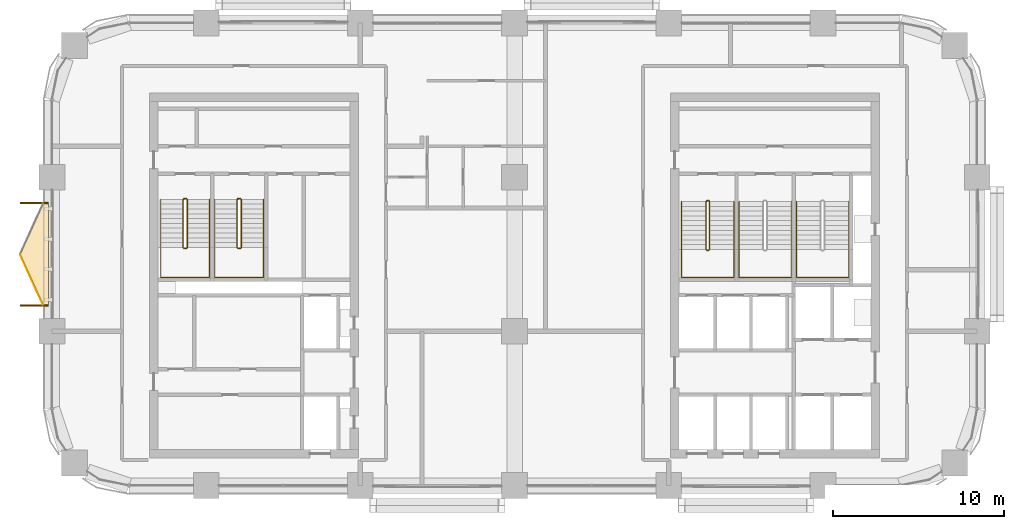
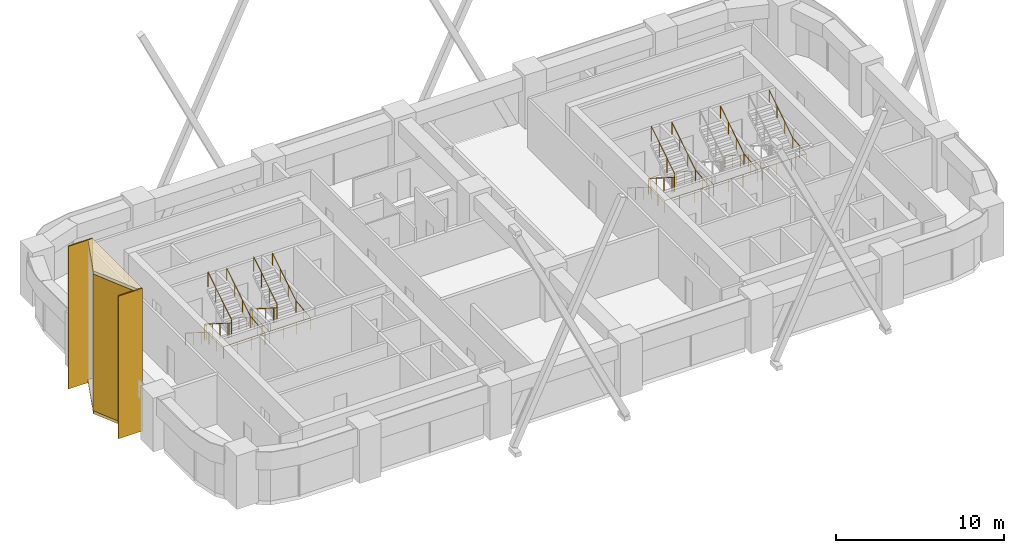
# One storey, part 12 of 13: 8 railings, 5 coverings.
"""IFC4 building model written with IfcOpenShell, lengths in metres."""

from ifc_helpers import new_model, si_unit, direction, frame, origin, origin_2d, place, context, subcontext, project, spatial, polyline, rectangle, circle, outline, extrude, material, layer, layer_set, type_object, element, save


model = new_model("IFC4")

# Units and contexts
model_context = context("Model", 3, precision=1e-05, world=origin(), true_north=direction((0.0, 1.0)))
body_context = subcontext(model_context, "Body", "Model", "MODEL_VIEW")
ifc_project = project(units=[si_unit("LENGTHUNIT", "METRE"), si_unit("AREAUNIT", "SQUARE_METRE"), si_unit("VOLUMEUNIT", "CUBIC_METRE"), si_unit("PLANEANGLEUNIT", "RADIAN"), si_unit("MASSUNIT", "GRAM", prefix="KILO")], contexts=[model_context])

# Site, building, storey
site_placement = place(None, origin())
site = spatial("IfcSite", under=ifc_project, at=site_placement, CompositionType="ELEMENT")
building_placement = place(site_placement, origin())
building = spatial("IfcBuilding", under=site, at=building_placement, Name="Tessera Arch", CompositionType="ELEMENT")
storey_placement = place(building_placement, frame((0.0, 0.0, 166.10009765625)))
storey = spatial("IfcBuildingStorey", under=building, at=storey_placement, Name="L39", CompositionType="ELEMENT", Elevation=166.10009765625)

# Railings
ifc_material_1 = material(Name="Painted steel balustrade", Category="steel")
railing_type_1 = type_object("IfcRailingType", Name="Stair guard 1100", PredefinedType="GUARDRAIL", material=ifc_material_1)
railing_1_placement = place(storey_placement, frame((38.219970703125, 43.6298828125, 0.0)))
element("IfcRailing", 1, at=railing_1_placement, inside=storey, type_object=railing_type_1, Name="L39 S1a stair guard 1", PredefinedType="GUARDRAIL", context=body_context, shape_type="SweptSolid", body=[
    extrude(circle(Radius=0.02392578125, at=origin_2d()), frame((-0.00390625, 0.0, 1.076171875), z_axis=(1.0, 0.0, 0.0), x_axis=(0.0, 1.0, 0.0)), (0.0, 0.0, 1.0), 0.1181640625),
    extrude(circle(Radius=0.02392578125, at=origin_2d()), frame((0.11279296875, 0.000732421875, 1.0732421875), z_axis=(-0.656319048605, -0.204099216335, 0.726353093426), x_axis=(0.296948579431, -0.954893471113, 0.0)), (0.0, 0.0, 1.0), 0.251953125),
    extrude(circle(Radius=0.02392578125, at=origin_2d()), frame((-0.050048828125, -0.04638671875, 1.251220703125), z_axis=(0.0, -0.844908973607, 0.534910110503), x_axis=(1.0, 0.0, 0.0)), (0.0, 0.0, 1.0), 3.322021484375),
    extrude(circle(Radius=0.02392578125, at=origin_2d()), frame((-0.052978515625, -2.846923828125, 3.02587890625), z_axis=(0.707106781187, -0.707106781187, 0.0), x_axis=(0.707106781187, 0.707106781187, 0.0)), (0.0, 0.0, 1.0), 0.078857421875),
    extrude(circle(Radius=0.02392578125, at=origin_2d()), frame((-0.00390625, -2.89990234375, 3.02587890625), z_axis=(1.0, 0.0, 0.0), x_axis=(0.0, 1.0, 0.0)), (0.0, 0.0, 1.0), 0.1181640625),
    extrude(circle(Radius=0.02392578125, at=origin_2d()), frame((0.109130859375, -2.90087890625, 3.022216796875), z_axis=(0.261041864531, 0.262321481514, 0.929001929653), x_axis=(-0.708833529934, 0.705375805398, 0.0)), (0.0, 0.0, 1.0), 0.19873046875),
    extrude(circle(Radius=0.02392578125, at=origin_2d()), frame((0.159912109375, -2.853271484375, 3.201171875), z_axis=(0.0, 0.844908973607, 0.534910110503), x_axis=(-1.0, 0.0, 0.0)), (0.0, 0.0, 1.0), 3.322021484375),
    extrude(circle(Radius=0.02099609375, at=origin_2d()), origin(), (0.0, 0.0, 1.0), 1.06396484375),
    extrude(circle(Radius=0.02099609375, at=origin_2d()), frame((0.110107421875, 0.0, 0.0)), (0.0, 0.0, 1.0), 1.06396484375),
    extrude(circle(Radius=0.02099609375, at=origin_2d()), frame((-0.050048828125, -0.0498046875, 0.17724609375)), (0.0, 0.0, 1.0), 1.06396484375),
    extrude(circle(Radius=0.02099609375, at=origin_2d()), frame((-0.050048828125, -0.983154296875, 0.76806640625)), (0.0, 0.0, 1.0), 1.06396484375),
    extrude(circle(Radius=0.02099609375, at=origin_2d()), frame((-0.050048828125, -1.91650390625, 1.359130859375)), (0.0, 0.0, 1.0), 1.06396484375),
    extrude(circle(Radius=0.02099609375, at=origin_2d()), frame((-0.050048828125, -2.849853515625, 1.949951171875)), (0.0, 0.0, 1.0), 1.06396484375),
    extrude(circle(Radius=0.02099609375, at=origin_2d()), frame((0.0, -2.89990234375, 1.949951171875)), (0.0, 0.0, 1.0), 1.06396484375),
    extrude(circle(Radius=0.02099609375, at=origin_2d()), frame((0.110107421875, -2.89990234375, 1.949951171875)), (0.0, 0.0, 1.0), 1.06396484375),
    extrude(circle(Radius=0.02099609375, at=origin_2d()), frame((0.159912109375, -2.849853515625, 2.127197265625)), (0.0, 0.0, 1.0), 1.06396484375),
    extrude(circle(Radius=0.02099609375, at=origin_2d()), frame((0.159912109375, -1.91650390625, 2.718017578125)), (0.0, 0.0, 1.0), 1.06396484375),
    extrude(circle(Radius=0.02099609375, at=origin_2d()), frame((0.159912109375, -0.983154296875, 3.30908203125)), (0.0, 0.0, 1.0), 1.06396484375),
    extrude(circle(Radius=0.02099609375, at=origin_2d()), frame((0.159912109375, -0.0498046875, 3.89990234375)), (0.0, 0.0, 1.0), 1.06396484375),
])
railing_2_placement = place(storey_placement, frame((7.699951171875, 43.75, 0.0)))
element("IfcRailing", 2, at=railing_2_placement, inside=storey, type_object=railing_type_1, Name="L39 S2a stair guard 1", PredefinedType="GUARDRAIL", context=body_context, shape_type="SweptSolid", body=[
    extrude(circle(Radius=0.02392578125, at=origin_2d()), frame((-0.00390625, 0.0, 1.076171875), z_axis=(1.0, 0.0, 0.0), x_axis=(0.0, 1.0, 0.0)), (0.0, 0.0, 1.0), 0.158203125),
    extrude(circle(Radius=0.02392578125, at=origin_2d()), frame((0.153076171875, 0.000732421875, 1.073486328125), z_axis=(-0.735936453418, -0.183984113355, 0.651573006319), x_axis=(0.242535625036, -0.970142500145, 0.0)), (0.0, 0.0, 1.0), 0.280029296875),
    extrude(circle(Radius=0.02392578125, at=origin_2d()), frame((-0.050048828125, -0.046630859375, 1.251220703125), z_axis=(0.0, -0.844908973607, 0.534910110503), x_axis=(1.0, 0.0, 0.0)), (0.0, 0.0, 1.0), 3.322021484375),
    extrude(circle(Radius=0.02392578125, at=origin_2d()), frame((-0.052978515625, -2.84716796875, 3.02587890625), z_axis=(0.708833529934, -0.705375805398, 0.0), x_axis=(0.705375805398, 0.708833529934, 0.0)), (0.0, 0.0, 1.0), 0.07861328125),
    extrude(circle(Radius=0.02392578125, at=origin_2d()), frame((-0.00390625, -2.89990234375, 3.02587890625), z_axis=(1.0, 0.0, 0.0), x_axis=(0.0, 1.0, 0.0)), (0.0, 0.0, 1.0), 0.158203125),
    extrude(circle(Radius=0.02392578125, at=origin_2d()), frame((0.149169921875, -2.90087890625, 3.022216796875), z_axis=(0.261129318932, 0.261129318932, 0.929313164433), x_axis=(-0.707106781187, 0.707106781187, 0.0)), (0.0, 0.0, 1.0), 0.19873046875),
    extrude(circle(Radius=0.02392578125, at=origin_2d()), frame((0.199951171875, -2.853515625, 3.201171875), z_axis=(0.0, 0.844908973607, 0.534910110503), x_axis=(-1.0, 0.0, 0.0)), (0.0, 0.0, 1.0), 3.322021484375),
    extrude(circle(Radius=0.02099609375, at=origin_2d()), origin(), (0.0, 0.0, 1.0), 1.06396484375),
    extrude(circle(Radius=0.02099609375, at=origin_2d()), frame((0.150146484375, 0.0, 0.0)), (0.0, 0.0, 1.0), 1.06396484375),
    extrude(circle(Radius=0.02099609375, at=origin_2d()), frame((-0.050048828125, -0.050048828125, 0.17724609375)), (0.0, 0.0, 1.0), 1.06396484375),
    extrude(circle(Radius=0.02099609375, at=origin_2d()), frame((-0.050048828125, -0.9833984375, 0.76806640625)), (0.0, 0.0, 1.0), 1.06396484375),
    extrude(circle(Radius=0.02099609375, at=origin_2d()), frame((-0.050048828125, -1.916748046875, 1.359130859375)), (0.0, 0.0, 1.0), 1.06396484375),
    extrude(circle(Radius=0.02099609375, at=origin_2d()), frame((-0.050048828125, -2.85009765625, 1.949951171875)), (0.0, 0.0, 1.0), 1.06396484375),
    extrude(circle(Radius=0.02099609375, at=origin_2d()), frame((0.0, -2.89990234375, 1.949951171875)), (0.0, 0.0, 1.0), 1.06396484375),
    extrude(circle(Radius=0.02099609375, at=origin_2d()), frame((0.150146484375, -2.89990234375, 1.949951171875)), (0.0, 0.0, 1.0), 1.06396484375),
    extrude(circle(Radius=0.02099609375, at=origin_2d()), frame((0.199951171875, -2.85009765625, 2.127197265625)), (0.0, 0.0, 1.0), 1.06396484375),
    extrude(circle(Radius=0.02099609375, at=origin_2d()), frame((0.199951171875, -1.916748046875, 2.718017578125)), (0.0, 0.0, 1.0), 1.06396484375),
    extrude(circle(Radius=0.02099609375, at=origin_2d()), frame((0.199951171875, -0.9833984375, 3.30908203125)), (0.0, 0.0, 1.0), 1.06396484375),
    extrude(circle(Radius=0.02099609375, at=origin_2d()), frame((0.199951171875, -0.050048828125, 3.89990234375)), (0.0, 0.0, 1.0), 1.06396484375),
])
railing_3_placement = place(storey_placement, frame((10.85009765625, 43.75, 0.0)))
element("IfcRailing", 3, at=railing_3_placement, inside=storey, type_object=railing_type_1, Name="L39 S2b stair guard 1", PredefinedType="GUARDRAIL", context=body_context, shape_type="SweptSolid", body=[
    extrude(circle(Radius=0.02392578125, at=origin_2d()), frame((-0.00390625, 0.0, 1.076171875), z_axis=(1.0, 0.0, 0.0), x_axis=(0.0, 1.0, 0.0)), (0.0, 0.0, 1.0), 0.157958984375),
    extrude(circle(Radius=0.02392578125, at=origin_2d()), frame((0.15283203125, 0.000732421875, 1.073486328125), z_axis=(-0.735524641326, -0.184105679453, 0.652003528208), x_axis=(0.242814311512, -0.970072785993, 0.0)), (0.0, 0.0, 1.0), 0.27978515625),
    extrude(circle(Radius=0.02392578125, at=origin_2d()), frame((-0.050048828125, -0.046630859375, 1.251220703125), z_axis=(0.0, -0.844908973607, 0.534910110503), x_axis=(1.0, 0.0, 0.0)), (0.0, 0.0, 1.0), 3.322021484375),
    extrude(circle(Radius=0.02392578125, at=origin_2d()), frame((-0.052978515625, -2.84716796875, 3.02587890625), z_axis=(0.708833529934, -0.705375805398, 0.0), x_axis=(0.705375805398, 0.708833529934, 0.0)), (0.0, 0.0, 1.0), 0.07861328125),
    extrude(circle(Radius=0.02392578125, at=origin_2d()), frame((-0.00390625, -2.89990234375, 3.02587890625), z_axis=(1.0, 0.0, 0.0), x_axis=(0.0, 1.0, 0.0)), (0.0, 0.0, 1.0), 0.157958984375),
    extrude(circle(Radius=0.02392578125, at=origin_2d()), frame((0.14892578125, -2.90087890625, 3.022216796875), z_axis=(0.262321481514, 0.261041864531, 0.929001929653), x_axis=(-0.705375805398, 0.708833529934, 0.0)), (0.0, 0.0, 1.0), 0.19873046875),
    extrude(circle(Radius=0.02392578125, at=origin_2d()), frame((0.199951171875, -2.853515625, 3.201171875), z_axis=(0.0, 0.844908973607, 0.534910110503), x_axis=(-1.0, 0.0, 0.0)), (0.0, 0.0, 1.0), 3.322021484375),
    extrude(circle(Radius=0.02099609375, at=origin_2d()), origin(), (0.0, 0.0, 1.0), 1.06396484375),
    extrude(circle(Radius=0.02099609375, at=origin_2d()), frame((0.14990234375, 0.0, 0.0)), (0.0, 0.0, 1.0), 1.06396484375),
    extrude(circle(Radius=0.02099609375, at=origin_2d()), frame((-0.050048828125, -0.050048828125, 0.17724609375)), (0.0, 0.0, 1.0), 1.06396484375),
    extrude(circle(Radius=0.02099609375, at=origin_2d()), frame((-0.050048828125, -0.9833984375, 0.76806640625)), (0.0, 0.0, 1.0), 1.06396484375),
    extrude(circle(Radius=0.02099609375, at=origin_2d()), frame((-0.050048828125, -1.916748046875, 1.359130859375)), (0.0, 0.0, 1.0), 1.06396484375),
    extrude(circle(Radius=0.02099609375, at=origin_2d()), frame((-0.050048828125, -2.85009765625, 1.949951171875)), (0.0, 0.0, 1.0), 1.06396484375),
    extrude(circle(Radius=0.02099609375, at=origin_2d()), frame((0.0, -2.89990234375, 1.949951171875)), (0.0, 0.0, 1.0), 1.06396484375),
    extrude(circle(Radius=0.02099609375, at=origin_2d()), frame((0.14990234375, -2.89990234375, 1.949951171875)), (0.0, 0.0, 1.0), 1.06396484375),
    extrude(circle(Radius=0.02099609375, at=origin_2d()), frame((0.199951171875, -2.85009765625, 2.127197265625)), (0.0, 0.0, 1.0), 1.06396484375),
    extrude(circle(Radius=0.02099609375, at=origin_2d()), frame((0.199951171875, -1.916748046875, 2.718017578125)), (0.0, 0.0, 1.0), 1.06396484375),
    extrude(circle(Radius=0.02099609375, at=origin_2d()), frame((0.199951171875, -0.9833984375, 3.30908203125)), (0.0, 0.0, 1.0), 1.06396484375),
    extrude(circle(Radius=0.02099609375, at=origin_2d()), frame((0.199951171875, -0.050048828125, 3.89990234375)), (0.0, 0.0, 1.0), 1.06396484375),
])
ifc_material_2 = material(Name="Painted steel handrail", Category="steel")
railing_type_2 = type_object("IfcRailingType", Name="Stair handrail 900", PredefinedType="HANDRAIL", material=ifc_material_2)
railing_4_placement = place(storey_placement, frame((36.75, 43.580078125, 0.17724609375)))
element("IfcRailing", 4, at=railing_4_placement, inside=storey, type_object=railing_type_2, Name="L39 S1a stair handrail", PredefinedType="HANDRAIL", context=body_context, shape_type="SweptSolid", body=[
    extrude(circle(Radius=0.02392578125, at=origin_2d()), frame((0.0, 0.00341796875, 0.873779296875), z_axis=(0.0, -0.844908973607, 0.534910110503), x_axis=(1.0, 0.0, 0.0)), (0.0, 0.0, 1.0), 3.322021484375),
    extrude(circle(Radius=0.02392578125, at=origin_2d()), frame((0.0, -2.796142578125, 2.6484375), z_axis=(0.0, -1.0, 0.0), x_axis=(1.0, 0.0, 0.0)), (0.0, 0.0, 1.0), 1.63818359375),
    extrude(circle(Radius=0.02392578125, at=origin_2d()), frame((-0.00390625, -4.43017578125, 2.6484375), z_axis=(1.0, 0.0, 0.0), x_axis=(0.0, 1.0, 0.0)), (0.0, 0.0, 1.0), 3.05810546875),
    extrude(circle(Radius=0.02392578125, at=origin_2d()), frame((3.050048828125, -4.43408203125, 2.648193359375), z_axis=(0.0, 0.994140637614, 0.108094369164), x_axis=(-1.0, 0.0, 0.0)), (0.0, 0.0, 1.0), 1.647705078125),
    extrude(circle(Radius=0.02392578125, at=origin_2d()), frame((3.050048828125, -2.803466796875, 2.82373046875), z_axis=(0.0, 0.844908973607, 0.534910110503), x_axis=(-1.0, 0.0, 0.0)), (0.0, 0.0, 1.0), 3.322021484375),
    extrude(circle(Radius=0.02099609375, at=origin_2d()), origin(), (0.0, 0.0, 1.0), 0.86376953125),
    extrude(circle(Radius=0.02099609375, at=origin_2d()), frame((0.0, -0.933349609375, 0.5908203125)), (0.0, 0.0, 1.0), 0.86376953125),
    extrude(circle(Radius=0.02099609375, at=origin_2d()), frame((0.0, -1.86669921875, 1.181884765625)), (0.0, 0.0, 1.0), 0.86376953125),
    extrude(circle(Radius=0.02099609375, at=origin_2d()), frame((0.0, -2.800048828125, 1.772705078125)), (0.0, 0.0, 1.0), 0.86376953125),
    extrude(circle(Radius=0.02099609375, at=origin_2d()), frame((0.0, -3.615234375, 1.772705078125)), (0.0, 0.0, 1.0), 0.86376953125),
    extrude(circle(Radius=0.02099609375, at=origin_2d()), frame((0.0, -4.43017578125, 1.772705078125)), (0.0, 0.0, 1.0), 0.86376953125),
    extrude(circle(Radius=0.02099609375, at=origin_2d()), frame((1.0166015625, -4.43017578125, 1.772705078125)), (0.0, 0.0, 1.0), 0.86376953125),
    extrude(circle(Radius=0.02099609375, at=origin_2d()), frame((2.033447265625, -4.43017578125, 1.772705078125)), (0.0, 0.0, 1.0), 0.86376953125),
    extrude(circle(Radius=0.02099609375, at=origin_2d()), frame((3.050048828125, -4.43017578125, 1.772705078125)), (0.0, 0.0, 1.0), 0.86376953125),
    extrude(circle(Radius=0.02099609375, at=origin_2d()), frame((3.050048828125, -3.615234375, 1.861328125)), (0.0, 0.0, 1.0), 0.86376953125),
    extrude(circle(Radius=0.02099609375, at=origin_2d()), frame((3.050048828125, -2.800048828125, 1.949951171875)), (0.0, 0.0, 1.0), 0.86376953125),
    extrude(circle(Radius=0.02099609375, at=origin_2d()), frame((3.050048828125, -1.86669921875, 2.540771484375)), (0.0, 0.0, 1.0), 0.86376953125),
    extrude(circle(Radius=0.02099609375, at=origin_2d()), frame((3.050048828125, -0.933349609375, 3.1318359375)), (0.0, 0.0, 1.0), 0.86376953125),
    extrude(circle(Radius=0.02099609375, at=origin_2d()), frame((3.050048828125, 0.0, 3.72265625)), (0.0, 0.0, 1.0), 0.86376953125),
])
railing_5_placement = place(storey_placement, frame((40.10009765625, 43.580078125, 0.17724609375)))
element("IfcRailing", 5, at=railing_5_placement, inside=storey, type_object=railing_type_2, Name="L39 S1b stair handrail", PredefinedType="HANDRAIL", context=body_context, shape_type="SweptSolid", body=[
    extrude(circle(Radius=0.02392578125, at=origin_2d()), frame((0.0, 0.00341796875, 0.873779296875), z_axis=(0.0, -0.844908973607, 0.534910110503), x_axis=(1.0, 0.0, 0.0)), (0.0, 0.0, 1.0), 3.322021484375),
    extrude(circle(Radius=0.02392578125, at=origin_2d()), frame((0.0, -2.796142578125, 2.6484375), z_axis=(0.0, -1.0, 0.0), x_axis=(1.0, 0.0, 0.0)), (0.0, 0.0, 1.0), 1.63818359375),
    extrude(circle(Radius=0.02392578125, at=origin_2d()), frame((-0.00390625, -4.43017578125, 2.6484375), z_axis=(1.0, 0.0, 0.0), x_axis=(0.0, 1.0, 0.0)), (0.0, 0.0, 1.0), 3.057861328125),
    extrude(circle(Radius=0.02392578125, at=origin_2d()), frame((3.0498046875, -4.43408203125, 2.648193359375), z_axis=(0.0, 0.994140637614, 0.108094369164), x_axis=(-1.0, 0.0, 0.0)), (0.0, 0.0, 1.0), 1.647705078125),
    extrude(circle(Radius=0.02392578125, at=origin_2d()), frame((3.0498046875, -2.803466796875, 2.82373046875), z_axis=(0.0, 0.844908973607, 0.534910110503), x_axis=(-1.0, 0.0, 0.0)), (0.0, 0.0, 1.0), 3.322021484375),
    extrude(circle(Radius=0.02099609375, at=origin_2d()), origin(), (0.0, 0.0, 1.0), 0.86376953125),
    extrude(circle(Radius=0.02099609375, at=origin_2d()), frame((0.0, -0.933349609375, 0.5908203125)), (0.0, 0.0, 1.0), 0.86376953125),
    extrude(circle(Radius=0.02099609375, at=origin_2d()), frame((0.0, -1.86669921875, 1.181884765625)), (0.0, 0.0, 1.0), 0.86376953125),
    extrude(circle(Radius=0.02099609375, at=origin_2d()), frame((0.0, -2.800048828125, 1.772705078125)), (0.0, 0.0, 1.0), 0.86376953125),
    extrude(circle(Radius=0.02099609375, at=origin_2d()), frame((0.0, -3.615234375, 1.772705078125)), (0.0, 0.0, 1.0), 0.86376953125),
    extrude(circle(Radius=0.02099609375, at=origin_2d()), frame((0.0, -4.43017578125, 1.772705078125)), (0.0, 0.0, 1.0), 0.86376953125),
    extrude(circle(Radius=0.02099609375, at=origin_2d()), frame((1.0166015625, -4.43017578125, 1.772705078125)), (0.0, 0.0, 1.0), 0.86376953125),
    extrude(circle(Radius=0.02099609375, at=origin_2d()), frame((2.033203125, -4.43017578125, 1.772705078125)), (0.0, 0.0, 1.0), 0.86376953125),
    extrude(circle(Radius=0.02099609375, at=origin_2d()), frame((3.0498046875, -4.43017578125, 1.772705078125)), (0.0, 0.0, 1.0), 0.86376953125),
    extrude(circle(Radius=0.02099609375, at=origin_2d()), frame((3.0498046875, -3.615234375, 1.861328125)), (0.0, 0.0, 1.0), 0.86376953125),
    extrude(circle(Radius=0.02099609375, at=origin_2d()), frame((3.0498046875, -2.800048828125, 1.949951171875)), (0.0, 0.0, 1.0), 0.86376953125),
    extrude(circle(Radius=0.02099609375, at=origin_2d()), frame((3.0498046875, -1.86669921875, 2.540771484375)), (0.0, 0.0, 1.0), 0.86376953125),
    extrude(circle(Radius=0.02099609375, at=origin_2d()), frame((3.0498046875, -0.933349609375, 3.1318359375)), (0.0, 0.0, 1.0), 0.86376953125),
    extrude(circle(Radius=0.02099609375, at=origin_2d()), frame((3.0498046875, 0.0, 3.72265625)), (0.0, 0.0, 1.0), 0.86376953125),
])
railing_6_placement = place(storey_placement, frame((43.449951171875, 43.580078125, 0.17724609375)))
element("IfcRailing", 6, at=railing_6_placement, inside=storey, type_object=railing_type_2, Name="L39 S1c stair handrail", PredefinedType="HANDRAIL", context=body_context, shape_type="SweptSolid", body=[
    extrude(circle(Radius=0.02392578125, at=origin_2d()), frame((0.0, 0.00341796875, 0.873779296875), z_axis=(0.0, -0.844908973607, 0.534910110503), x_axis=(1.0, 0.0, 0.0)), (0.0, 0.0, 1.0), 3.322021484375),
    extrude(circle(Radius=0.02392578125, at=origin_2d()), frame((0.0, -2.796142578125, 2.6484375), z_axis=(0.0, -1.0, 0.0), x_axis=(1.0, 0.0, 0.0)), (0.0, 0.0, 1.0), 1.63818359375),
    extrude(circle(Radius=0.02392578125, at=origin_2d()), frame((-0.00390625, -4.43017578125, 2.6484375), z_axis=(1.0, 0.0, 0.0), x_axis=(0.0, 1.0, 0.0)), (0.0, 0.0, 1.0), 3.05810546875),
    extrude(circle(Radius=0.02392578125, at=origin_2d()), frame((3.050048828125, -4.43408203125, 2.648193359375), z_axis=(0.0, 0.994140637614, 0.108094369164), x_axis=(-1.0, 0.0, 0.0)), (0.0, 0.0, 1.0), 1.647705078125),
    extrude(circle(Radius=0.02392578125, at=origin_2d()), frame((3.050048828125, -2.803466796875, 2.82373046875), z_axis=(0.0, 0.844908973607, 0.534910110503), x_axis=(-1.0, 0.0, 0.0)), (0.0, 0.0, 1.0), 3.322021484375),
    extrude(circle(Radius=0.02099609375, at=origin_2d()), origin(), (0.0, 0.0, 1.0), 0.86376953125),
    extrude(circle(Radius=0.02099609375, at=origin_2d()), frame((0.0, -0.933349609375, 0.5908203125)), (0.0, 0.0, 1.0), 0.86376953125),
    extrude(circle(Radius=0.02099609375, at=origin_2d()), frame((0.0, -1.86669921875, 1.181884765625)), (0.0, 0.0, 1.0), 0.86376953125),
    extrude(circle(Radius=0.02099609375, at=origin_2d()), frame((0.0, -2.800048828125, 1.772705078125)), (0.0, 0.0, 1.0), 0.86376953125),
    extrude(circle(Radius=0.02099609375, at=origin_2d()), frame((0.0, -3.615234375, 1.772705078125)), (0.0, 0.0, 1.0), 0.86376953125),
    extrude(circle(Radius=0.02099609375, at=origin_2d()), frame((0.0, -4.43017578125, 1.772705078125)), (0.0, 0.0, 1.0), 0.86376953125),
    extrude(circle(Radius=0.02099609375, at=origin_2d()), frame((1.0166015625, -4.43017578125, 1.772705078125)), (0.0, 0.0, 1.0), 0.86376953125),
    extrude(circle(Radius=0.02099609375, at=origin_2d()), frame((2.033447265625, -4.43017578125, 1.772705078125)), (0.0, 0.0, 1.0), 0.86376953125),
    extrude(circle(Radius=0.02099609375, at=origin_2d()), frame((3.050048828125, -4.43017578125, 1.772705078125)), (0.0, 0.0, 1.0), 0.86376953125),
    extrude(circle(Radius=0.02099609375, at=origin_2d()), frame((3.050048828125, -3.615234375, 1.861328125)), (0.0, 0.0, 1.0), 0.86376953125),
    extrude(circle(Radius=0.02099609375, at=origin_2d()), frame((3.050048828125, -2.800048828125, 1.949951171875)), (0.0, 0.0, 1.0), 0.86376953125),
    extrude(circle(Radius=0.02099609375, at=origin_2d()), frame((3.050048828125, -1.86669921875, 2.540771484375)), (0.0, 0.0, 1.0), 0.86376953125),
    extrude(circle(Radius=0.02099609375, at=origin_2d()), frame((3.050048828125, -0.933349609375, 3.1318359375)), (0.0, 0.0, 1.0), 0.86376953125),
    extrude(circle(Radius=0.02099609375, at=origin_2d()), frame((3.050048828125, 0.0, 3.72265625)), (0.0, 0.0, 1.0), 0.86376953125),
])
railing_7_placement = place(storey_placement, frame((6.35009765625, 43.699951171875, 0.17724609375)))
element("IfcRailing", 7, at=railing_7_placement, inside=storey, type_object=railing_type_2, Name="L39 S2a stair handrail", PredefinedType="HANDRAIL", context=body_context, shape_type="SweptSolid", body=[
    extrude(circle(Radius=0.02392578125, at=origin_2d()), frame((0.0, 0.00341796875, 0.873779296875), z_axis=(0.0, -0.844908973607, 0.534910110503), x_axis=(1.0, 0.0, 0.0)), (0.0, 0.0, 1.0), 3.322021484375),
    extrude(circle(Radius=0.02392578125, at=origin_2d()), frame((0.0, -2.796142578125, 2.6484375), z_axis=(0.0, -1.0, 0.0), x_axis=(1.0, 0.0, 0.0)), (0.0, 0.0, 1.0), 1.758056640625),
    extrude(circle(Radius=0.02392578125, at=origin_2d()), frame((-0.00390625, -4.550048828125, 2.6484375), z_axis=(1.0, 0.0, 0.0), x_axis=(0.0, 1.0, 0.0)), (0.0, 0.0, 1.0), 2.85791015625),
    extrude(circle(Radius=0.02392578125, at=origin_2d()), frame((2.849853515625, -4.553955078125, 2.648193359375), z_axis=(0.0, 0.994909956378, 0.100767944801), x_axis=(-1.0, 0.0, 0.0)), (0.0, 0.0, 1.0), 1.766845703125),
    extrude(circle(Radius=0.02392578125, at=origin_2d()), frame((2.849853515625, -2.803466796875, 2.82373046875), z_axis=(0.0, 0.844908973607, 0.534910110503), x_axis=(-1.0, 0.0, 0.0)), (0.0, 0.0, 1.0), 3.322021484375),
    extrude(circle(Radius=0.02099609375, at=origin_2d()), origin(), (0.0, 0.0, 1.0), 0.86376953125),
    extrude(circle(Radius=0.02099609375, at=origin_2d()), frame((0.0, -0.933349609375, 0.5908203125)), (0.0, 0.0, 1.0), 0.86376953125),
    extrude(circle(Radius=0.02099609375, at=origin_2d()), frame((0.0, -1.86669921875, 1.181884765625)), (0.0, 0.0, 1.0), 0.86376953125),
    extrude(circle(Radius=0.02099609375, at=origin_2d()), frame((0.0, -2.800048828125, 1.772705078125)), (0.0, 0.0, 1.0), 0.86376953125),
    extrude(circle(Radius=0.02099609375, at=origin_2d()), frame((0.0, -3.675048828125, 1.772705078125)), (0.0, 0.0, 1.0), 0.86376953125),
    extrude(circle(Radius=0.02099609375, at=origin_2d()), frame((0.0, -4.550048828125, 1.772705078125)), (0.0, 0.0, 1.0), 0.86376953125),
    extrude(circle(Radius=0.02099609375, at=origin_2d()), frame((0.949951171875, -4.550048828125, 1.772705078125)), (0.0, 0.0, 1.0), 0.86376953125),
    extrude(circle(Radius=0.02099609375, at=origin_2d()), frame((1.89990234375, -4.550048828125, 1.772705078125)), (0.0, 0.0, 1.0), 0.86376953125),
    extrude(circle(Radius=0.02099609375, at=origin_2d()), frame((2.849853515625, -4.550048828125, 1.772705078125)), (0.0, 0.0, 1.0), 0.86376953125),
    extrude(circle(Radius=0.02099609375, at=origin_2d()), frame((2.849853515625, -3.675048828125, 1.861328125)), (0.0, 0.0, 1.0), 0.86376953125),
    extrude(circle(Radius=0.02099609375, at=origin_2d()), frame((2.849853515625, -2.800048828125, 1.949951171875)), (0.0, 0.0, 1.0), 0.86376953125),
    extrude(circle(Radius=0.02099609375, at=origin_2d()), frame((2.849853515625, -1.86669921875, 2.540771484375)), (0.0, 0.0, 1.0), 0.86376953125),
    extrude(circle(Radius=0.02099609375, at=origin_2d()), frame((2.849853515625, -0.933349609375, 3.1318359375)), (0.0, 0.0, 1.0), 0.86376953125),
    extrude(circle(Radius=0.02099609375, at=origin_2d()), frame((2.849853515625, 0.0, 3.72265625)), (0.0, 0.0, 1.0), 0.86376953125),
])
railing_8_placement = place(storey_placement, frame((9.5, 43.699951171875, 0.17724609375)))
element("IfcRailing", 8, at=railing_8_placement, inside=storey, type_object=railing_type_2, Name="L39 S2b stair handrail", PredefinedType="HANDRAIL", context=body_context, shape_type="SweptSolid", body=[
    extrude(circle(Radius=0.02392578125, at=origin_2d()), frame((0.0, 0.00341796875, 0.873779296875), z_axis=(0.0, -0.844908973607, 0.534910110503), x_axis=(1.0, 0.0, 0.0)), (0.0, 0.0, 1.0), 3.322021484375),
    extrude(circle(Radius=0.02392578125, at=origin_2d()), frame((0.0, -2.796142578125, 2.6484375), z_axis=(0.0, -1.0, 0.0), x_axis=(1.0, 0.0, 0.0)), (0.0, 0.0, 1.0), 1.758056640625),
    extrude(circle(Radius=0.02392578125, at=origin_2d()), frame((-0.00390625, -4.550048828125, 2.6484375), z_axis=(1.0, 0.0, 0.0), x_axis=(0.0, 1.0, 0.0)), (0.0, 0.0, 1.0), 2.858154296875),
    extrude(circle(Radius=0.02392578125, at=origin_2d()), frame((2.85009765625, -4.553955078125, 2.648193359375), z_axis=(0.0, 0.994909956378, 0.100767944801), x_axis=(-1.0, 0.0, 0.0)), (0.0, 0.0, 1.0), 1.766845703125),
    extrude(circle(Radius=0.02392578125, at=origin_2d()), frame((2.85009765625, -2.803466796875, 2.82373046875), z_axis=(0.0, 0.844908973607, 0.534910110503), x_axis=(-1.0, 0.0, 0.0)), (0.0, 0.0, 1.0), 3.322021484375),
    extrude(circle(Radius=0.02099609375, at=origin_2d()), origin(), (0.0, 0.0, 1.0), 0.86376953125),
    extrude(circle(Radius=0.02099609375, at=origin_2d()), frame((0.0, -0.933349609375, 0.5908203125)), (0.0, 0.0, 1.0), 0.86376953125),
    extrude(circle(Radius=0.02099609375, at=origin_2d()), frame((0.0, -1.86669921875, 1.181884765625)), (0.0, 0.0, 1.0), 0.86376953125),
    extrude(circle(Radius=0.02099609375, at=origin_2d()), frame((0.0, -2.800048828125, 1.772705078125)), (0.0, 0.0, 1.0), 0.86376953125),
    extrude(circle(Radius=0.02099609375, at=origin_2d()), frame((0.0, -3.675048828125, 1.772705078125)), (0.0, 0.0, 1.0), 0.86376953125),
    extrude(circle(Radius=0.02099609375, at=origin_2d()), frame((0.0, -4.550048828125, 1.772705078125)), (0.0, 0.0, 1.0), 0.86376953125),
    extrude(circle(Radius=0.02099609375, at=origin_2d()), frame((0.949951171875, -4.550048828125, 1.772705078125)), (0.0, 0.0, 1.0), 0.86376953125),
    extrude(circle(Radius=0.02099609375, at=origin_2d()), frame((1.900146484375, -4.550048828125, 1.772705078125)), (0.0, 0.0, 1.0), 0.86376953125),
    extrude(circle(Radius=0.02099609375, at=origin_2d()), frame((2.85009765625, -4.550048828125, 1.772705078125)), (0.0, 0.0, 1.0), 0.86376953125),
    extrude(circle(Radius=0.02099609375, at=origin_2d()), frame((2.85009765625, -3.675048828125, 1.861328125)), (0.0, 0.0, 1.0), 0.86376953125),
    extrude(circle(Radius=0.02099609375, at=origin_2d()), frame((2.85009765625, -2.800048828125, 1.949951171875)), (0.0, 0.0, 1.0), 0.86376953125),
    extrude(circle(Radius=0.02099609375, at=origin_2d()), frame((2.85009765625, -1.86669921875, 2.540771484375)), (0.0, 0.0, 1.0), 0.86376953125),
    extrude(circle(Radius=0.02099609375, at=origin_2d()), frame((2.85009765625, -0.933349609375, 3.1318359375)), (0.0, 0.0, 1.0), 0.86376953125),
    extrude(circle(Radius=0.02099609375, at=origin_2d()), frame((2.85009765625, 0.0, 3.72265625)), (0.0, 0.0, 1.0), 0.86376953125),
])

# Coverings
ifc_material_3 = material(Name="Anodised aluminium pale metal", Category="aluminium")
ifc_layer_1 = layer(ifc_material_3, 0.080078125)
ifc_layer_set_1 = layer_set([ifc_layer_1], Name="Window box cheek")
covering_type_1 = type_object("IfcCoveringType", Name="Window box cheek", PredefinedType="CLADDING", material=ifc_layer_set_1)
covering_1_placement = place(storey_placement, origin())
element("IfcCovering", 9, at=covering_1_placement, inside=storey, type_object=covering_type_1, Name="Window box W0.27/1.0 2x3 cheek", PredefinedType="CLADDING", context=body_context, shape_type="SweptSolid", body=[
    extrude(outline(polyline([(-1.85009765625, 43.530029296875), (-1.85009765625, 43.449951171875), (-0.199951171875, 43.449951171875), (-0.199951171875, 43.530029296875), (-1.85009765625, 43.530029296875)])), origin(), (0.0, 0.0, 1.0), 10.39990234375),
])
covering_2_placement = place(storey_placement, origin())
element("IfcCovering", 10, at=covering_2_placement, inside=storey, type_object=covering_type_1, Name="Window box W0.27/1.0 2x3 cheek", PredefinedType="CLADDING", context=body_context, shape_type="SweptSolid", body=[
    extrude(outline(polyline([(-1.85009765625, 37.550048828125), (-1.85009765625, 37.469970703125), (-0.199951171875, 37.469970703125), (-0.199951171875, 37.550048828125), (-1.85009765625, 37.550048828125)])), origin(), (0.0, 0.0, 1.0), 10.39990234375),
])
ifc_material_4 = material(Name="Anodised aluminium cobalt blue", Category="aluminium")
ifc_layer_2 = layer(ifc_material_4, 0.219970703125)
ifc_layer_set_2 = layer_set([ifc_layer_2], Name="Window box frame plate cobalt")
covering_type_2 = type_object("IfcCoveringType", Name="Window box frame plate cobalt", PredefinedType="CLADDING", material=ifc_layer_set_2)
for number, where, name in (
    (11, (0.0, 0.0, 0.0), "Window box W0.27/1.0 2x3 floor"),
    (12, (0.0, 0.0, 10.179931640625), "Window box W0.27/1.0 2x3 roof"),
):
    element("IfcCovering", number, at=place(storey_placement, frame(where)), inside=storey, type_object=covering_type_2, Name=name, PredefinedType="CLADDING", context=body_context, shape_type="SweptSolid", body=[
        extrude(outline(polyline([(-0.510009765625, 43.449951171875), (-1.85009765625, 40.5), (-0.510009765625, 37.550048828125), (-0.199951171875, 37.550048828125), (-0.199951171875, 43.449951171875), (-0.510009765625, 43.449951171875)])), origin(), (0.0, 0.0, 1.0), 0.219970703125),
    ])
ifc_material_5 = material(Name="Anodised aluminium pale metal", Category="aluminium")
ifc_layer_3 = layer(ifc_material_5, 0.028076171875)
ifc_layer_set_3 = layer_set([ifc_layer_3], Name="Window box side panel")
covering_type_3 = type_object("IfcCoveringType", Name="Window box side panel", PredefinedType="CLADDING", material=ifc_layer_set_3)
covering_3_placement = place(storey_placement, frame((-1.179931640625, 39.02490234375, 0.219970703125), z_axis=(0.0, 0.0, 1.0), x_axis=(-0.413570397858, 0.910472144558, 0.0)))
element("IfcCovering", 13, at=covering_3_placement, inside=storey, type_object=covering_type_3, Name="Window box W0.27/1.0 2x3 side panel", PredefinedType="CLADDING", context=body_context, shape_type="SweptSolid", body=[
    extrude(rectangle(XDim=3.239990234375, YDim=0.028076171875, at=origin_2d()), origin(), (0.0, 0.0, 1.0), 9.9599609375),
])

save(model, "model.ifc")
